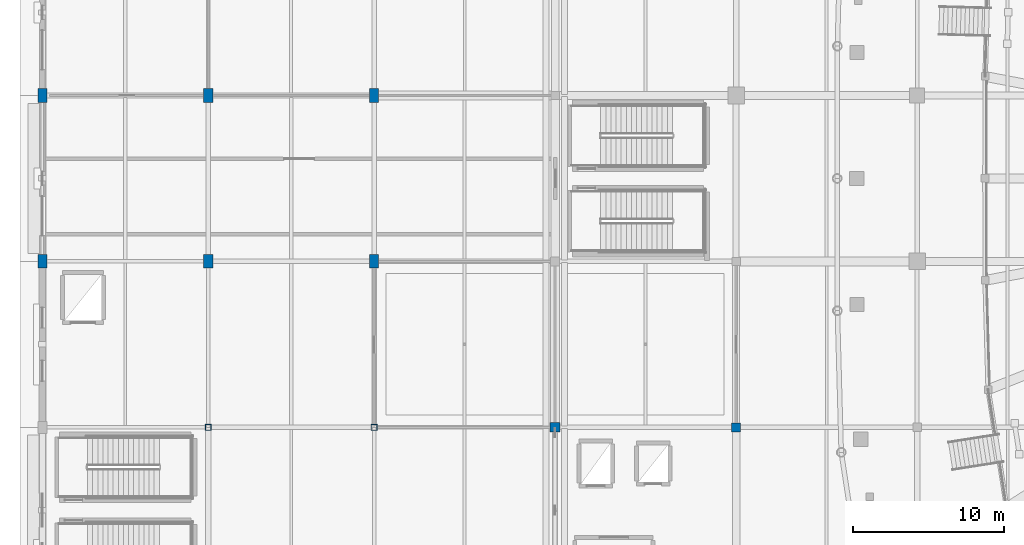
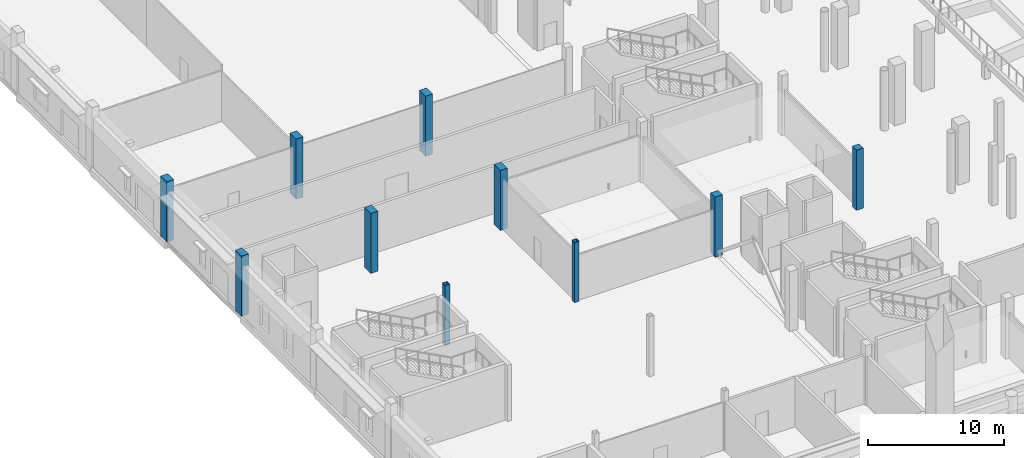
# One storey, part 3 of 120: 10 columns.
"""IFC4 building model written with IfcOpenShell, lengths in metres."""

from ifc_helpers import new_model, si_unit, direction, frame, origin, origin_2d, place, context, subcontext, project, spatial, rectangle, hollow_rectangle, extrude, material, material_profile, profile_set, type_object, element, save


model = new_model("IFC4")

# Units and contexts
model_context = context("Model", 3, precision=1e-05, world=origin(), true_north=direction((0.0, 1.0)))
body_context = subcontext(model_context, "Body", "Model", "MODEL_VIEW")
ifc_project = project(units=[si_unit("LENGTHUNIT", "METRE"), si_unit("AREAUNIT", "SQUARE_METRE"), si_unit("VOLUMEUNIT", "CUBIC_METRE"), si_unit("PLANEANGLEUNIT", "RADIAN"), si_unit("MASSUNIT", "GRAM", prefix="KILO")], contexts=[model_context])

# Site, building, storey
site_placement = place(None, origin())
site = spatial("IfcSite", under=ifc_project, at=site_placement, CompositionType="ELEMENT")
building_placement = place(site_placement, origin())
building = spatial("IfcBuilding", under=site, at=building_placement, Name="Luwafu Chhajja Arena", CompositionType="ELEMENT")
storey_placement = place(building_placement, origin())
storey = spatial("IfcBuildingStorey", under=building, at=storey_placement, Name="L00", CompositionType="ELEMENT", Elevation=0.0)

# Columns
ifc_material_1 = material(Name="Concrete C35/45", Category="concrete")
ifc_material_profile_1 = material_profile(ifc_material_1, rectangle(XDim=0.60009765625, YDim=0.60009765625, at=origin_2d()), Name="RC 600x600")
ifc_profile_set_1 = profile_set([ifc_material_profile_1], Name="Concrete C35/45")
column_type_1 = type_object("IfcColumnType", Name="Mezzanine Column RC 600", PredefinedType="COLUMN", material=ifc_profile_set_1)
column_1_placement = place(storey_placement, frame((46.0, 33.0, 0.0), z_axis=(0.0, 0.0, 1.0), x_axis=(1.0, 0.0, 0.0)))
element("IfcColumn", 1, at=column_1_placement, inside=storey, type_object=column_type_1, Name="L00 Grid Column 5/D", PredefinedType="COLUMN", context=body_context, shape_type="SweptSolid", body=[
    extrude(rectangle(XDim=0.60009765625, YDim=0.60009765625, at=origin_2d()), origin(), (0.0, 0.0, 1.0), 5.39990234375),
])
ifc_material_2 = material(Name="Steel S355", Category="steel")
ifc_material_profile_2 = material_profile(ifc_material_2, hollow_rectangle(XDim=0.39990234375, YDim=0.39990234375, WallThickness=0.02001953125, at=origin_2d()), Name="SHS 400x400x20")
ifc_profile_set_2 = profile_set([ifc_material_profile_2], Name="Steel S355")
column_type_2 = type_object("IfcColumnType", Name="Steel Atrium Column SHS 400", PredefinedType="COLUMN", material=ifc_profile_set_2)
for number, where, z_axis, x_axis, name in (
    (2, (11.0, 33.0, 0.0), (0.0, 0.0, 1.0), (1.0, 0.0, 0.0), "L00 Grid Column 2/D"),
    (3, (22.0, 33.0, 0.0), (0.0, 0.0, 1.0), (1.0, 0.0, 0.0), "L00 Grid Column 3/D"),
):
    element("IfcColumn", number, at=place(storey_placement, frame(where, z_axis=z_axis, x_axis=x_axis)), inside=storey, type_object=column_type_2, Name=name, PredefinedType="COLUMN", context=body_context, shape_type="SweptSolid", body=[
        extrude(hollow_rectangle(XDim=0.39990234375, YDim=0.39990234375, WallThickness=0.02001953125, at=origin_2d()), origin(), (0.0, 0.0, 1.0), 5.39990234375),
    ])
ifc_material_profile_3 = material_profile(ifc_material_1, rectangle(XDim=0.64990234375, YDim=0.64990234375, at=origin_2d()), Name="RC 650x650")
ifc_profile_set_3 = profile_set([ifc_material_profile_3], Name="Concrete C35/45")
column_type_3 = type_object("IfcColumnType", Name="Upper Wing Column RC 650", PredefinedType="COLUMN", material=ifc_profile_set_3)
column_2_placement = place(storey_placement, frame((34.0, 33.0, 0.0), z_axis=(0.0, 0.0, 1.0), x_axis=(1.0, 0.0, 0.0)))
element("IfcColumn", 4, at=column_2_placement, inside=storey, type_object=column_type_3, Name="L00 Grid Column 4/D", PredefinedType="COLUMN", context=body_context, shape_type="SweptSolid", body=[
    extrude(rectangle(XDim=0.64990234375, YDim=0.64990234375, at=origin_2d()), origin(), (0.0, 0.0, 1.0), 5.39990234375),
])
ifc_material_3 = material(Name="Concrete C40/50", Category="concrete")
ifc_material_profile_4 = material_profile(ifc_material_3, rectangle(XDim=0.60009765625, YDim=0.89990234375, at=origin_2d()), Name="RC 600x900")
ifc_profile_set_4 = profile_set([ifc_material_profile_4], Name="Concrete C40/50")
column_type_4 = type_object("IfcColumnType", Name="Warm-Up Hall Portal Column RC 600x900", PredefinedType="COLUMN", material=ifc_profile_set_4)
for number, where, z_axis, x_axis, name in (
    (5, (0.0, 44.0, 0.0), (0.0, 0.0, 1.0), (1.0, 0.0, 0.0), "L00 Grid Column 1/E"),
    (6, (0.0, 55.0, 0.0), (0.0, 0.0, 1.0), (1.0, 0.0, 0.0), "L00 Grid Column 1/F"),
    (7, (11.0, 44.0, 0.0), (0.0, 0.0, 1.0), (1.0, 0.0, 0.0), "L00 Grid Column 2/E"),
    (8, (11.0, 55.0, 0.0), (0.0, 0.0, 1.0), (1.0, 0.0, 0.0), "L00 Grid Column 2/F"),
    (9, (22.0, 44.0, 0.0), (0.0, 0.0, 1.0), (1.0, 0.0, 0.0), "L00 Grid Column 3/E"),
    (10, (22.0, 55.0, 0.0), (0.0, 0.0, 1.0), (1.0, 0.0, 0.0), "L00 Grid Column 3/F"),
):
    element("IfcColumn", number, at=place(storey_placement, frame(where, z_axis=z_axis, x_axis=x_axis)), inside=storey, type_object=column_type_4, Name=name, PredefinedType="COLUMN", context=body_context, shape_type="SweptSolid", body=[
        extrude(rectangle(XDim=0.60009765625, YDim=0.89990234375, at=origin_2d()), origin(), (0.0, 0.0, 1.0), 5.39990234375),
    ])

save(model, "model.ifc")
